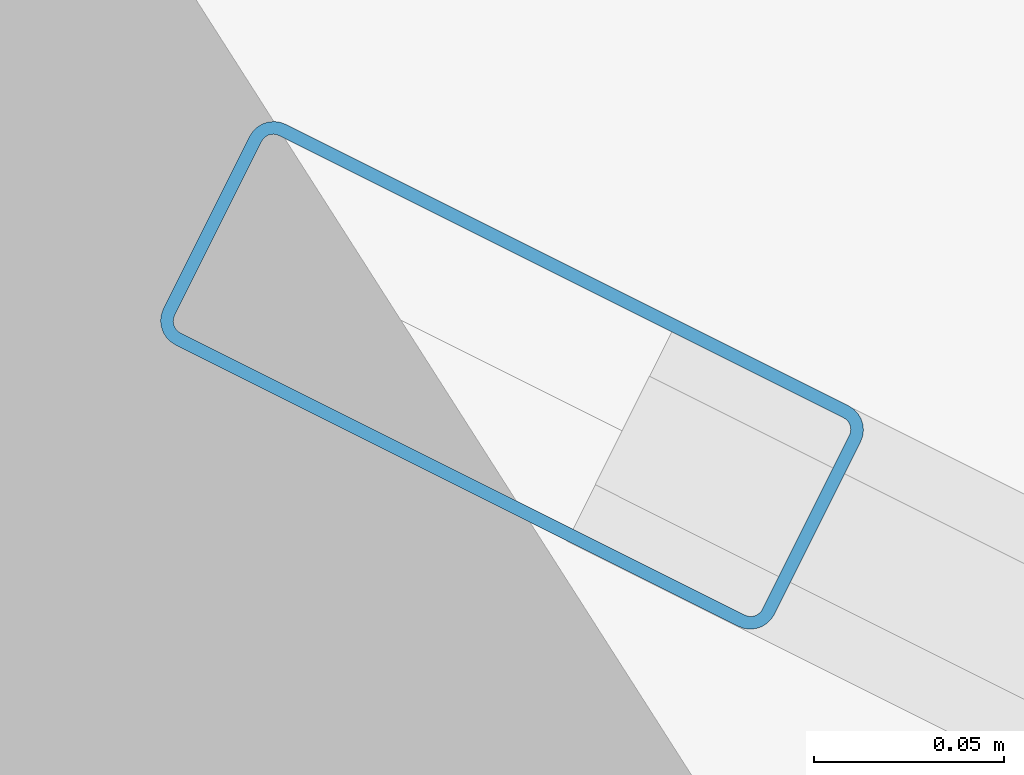
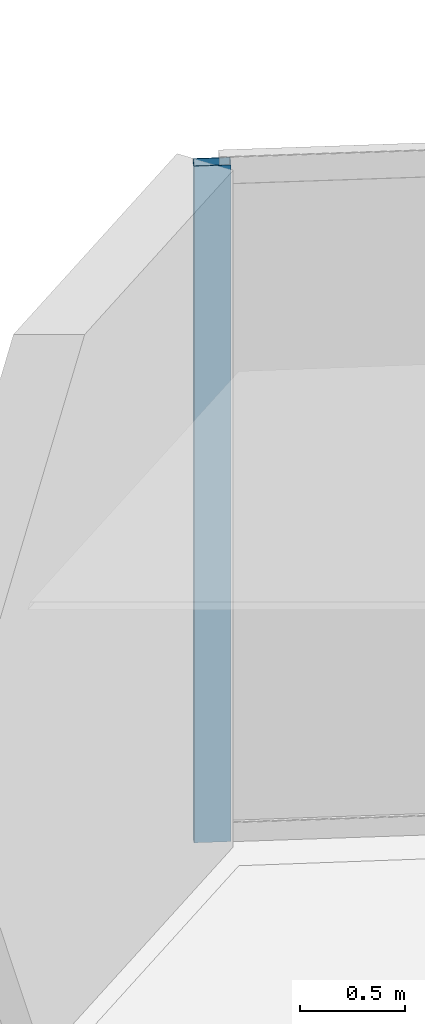
# One storey, part 27 of 45: 1 member, 1 element without a shape of its own.
"""IFC4 building model written with IfcOpenShell, lengths in metres."""

from ifc_helpers import new_model, si_unit, direction, frame, origin, origin_2d, place, context, subcontext, project, spatial, hollow_rectangle, extrude, material, layer, layer_set, material_profile, profile_set, type_object, element, aggregate, save


model = new_model("IFC4")

# Units and contexts
model_context = context("Model", 3, precision=1e-05, world=origin(), true_north=direction((0.0, 1.0)))
body_context = subcontext(model_context, "Body", "Model", "MODEL_VIEW")
ifc_project = project(units=[si_unit("LENGTHUNIT", "METRE"), si_unit("AREAUNIT", "SQUARE_METRE"), si_unit("VOLUMEUNIT", "CUBIC_METRE"), si_unit("PLANEANGLEUNIT", "RADIAN"), si_unit("MASSUNIT", "GRAM", prefix="KILO")], contexts=[model_context])

# Site, building, storey
site_placement = place(None, origin())
site = spatial("IfcSite", under=ifc_project, at=site_placement, CompositionType="ELEMENT")
building_placement = place(site_placement, origin())
building = spatial("IfcBuilding", under=site, at=building_placement, Name="Qorvath Tower", CompositionType="ELEMENT")
storey_placement = place(building_placement, frame((0.0, 0.0, 66.0)))
storey = spatial("IfcBuildingStorey", under=building, at=storey_placement, Name="L14", CompositionType="ELEMENT", Elevation=66.0)

# Curtain wall, member
ifc_material_1 = material(Name="Anodised aluminium and triple low-E glass", Category="aluminium")
ifc_layer = layer(ifc_material_1, 0.179931640625)
ifc_layer_set = layer_set([ifc_layer], Name="CW-SYS-2")
curtain_wall_type = type_object("IfcCurtainWallType", Name="CW-SYS-2", PredefinedType="NOTDEFINED", material=ifc_layer_set)
curtain_wall_placement = place(storey_placement, origin())
curtain_wall = element("IfcCurtainWall", 1, at=curtain_wall_placement, inside=storey, type_object=curtain_wall_type, Name="Curtain Wall CW-2 CW-T-L14-15.1", PredefinedType="NOTDEFINED")
ifc_material_2 = material(Name="Anodised aluminium 6063-T6", Category="aluminium")
ifc_material_profile = material_profile(ifc_material_2, hollow_rectangle(XDim=0.06494140625, YDim=0.179931640625, WallThickness=0.00341796875, InnerFilletRadius=0.00341796875, OuterFilletRadius=0.007080078125, at=origin_2d()), Name="CWM 180x65")
ifc_profile_set = profile_set([ifc_material_profile], Name="Anodised aluminium 6063-T6")
member_type = type_object("IfcMemberType", Name="CWM-180", PredefinedType="MULLION", material=ifc_profile_set)
member_placement = place(storey_placement, frame((-15.1259765625, 32.520751953125, 0.0), z_axis=(0.0, 0.0, 1.0), x_axis=(-0.447221292931, -0.894423342243, 0.0)))
member = element("IfcMember", 2, at=member_placement, type_object=member_type, Name="CW-2 mullion 2", PredefinedType="MULLION", context=body_context, shape_type="SweptSolid", body=[
    extrude(hollow_rectangle(XDim=0.06494140625, YDim=0.179931640625, WallThickness=0.00341796875, InnerFilletRadius=0.00341796875, OuterFilletRadius=0.007080078125, at=origin_2d()), origin(), (0.0, 0.0, 1.0), 3.919921875),
])
aggregate(curtain_wall, [member])

save(model, "model.ifc")
